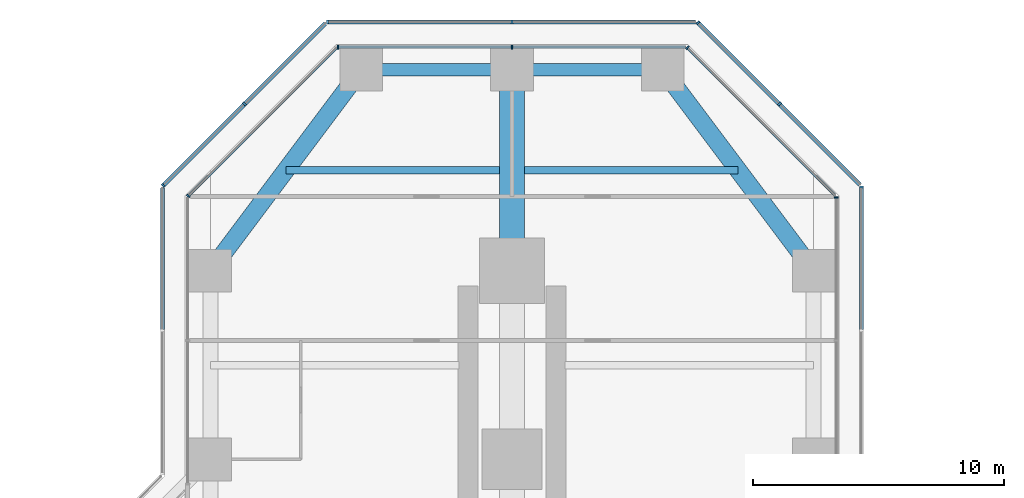
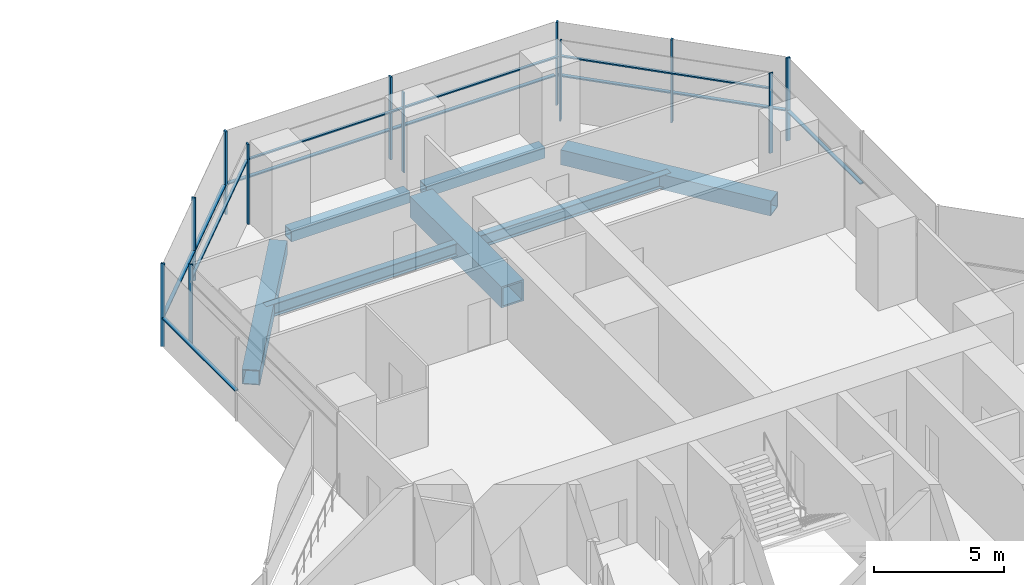
# One storey, part 13 of 22: 24 members, 7 beams, 9 elements without a shape of their own.
"""IFC4 building model written with IfcOpenShell, lengths in metres."""

from ifc_helpers import new_model, si_unit, direction, frame, origin, origin_2d, place, context, subcontext, project, spatial, rectangle, hollow_rectangle, i_section, extrude, material, material_profile, profile_set, type_object, element, aggregate, save


model = new_model("IFC4")

# Units and contexts
model_context = context("Model", 3, precision=1e-05, world=origin(), true_north=direction((0.0, 1.0)))
body_context = subcontext(model_context, "Body", "Model", "MODEL_VIEW")
ifc_project = project(units=[si_unit("LENGTHUNIT", "METRE"), si_unit("AREAUNIT", "SQUARE_METRE"), si_unit("VOLUMEUNIT", "CUBIC_METRE"), si_unit("PLANEANGLEUNIT", "RADIAN"), si_unit("MASSUNIT", "GRAM", prefix="KILO")], contexts=[model_context])

# Site, building, storey
site_placement = place(None, origin())
site = spatial("IfcSite", under=ifc_project, at=site_placement, CompositionType="ELEMENT")
building_placement = place(site_placement, origin())
building = spatial("IfcBuilding", under=site, at=building_placement, Name="Mizan Broadcast Tower", CompositionType="ELEMENT")
storey_placement = place(building_placement, frame((0.0, 0.0, 43.5)))
storey = spatial("IfcBuildingStorey", under=building, at=storey_placement, Name="L07", CompositionType="ELEMENT", Elevation=43.5)

# Beams
ifc_material_1 = material(Name="Steel S355", Category="steel")
ifc_material_profile_1 = material_profile(ifc_material_1, hollow_rectangle(XDim=0.5, YDim=0.5, WallThickness=0.030029296875, at=origin_2d()), Name="BOX 500x500x30")
ifc_profile_set_1 = profile_set([ifc_material_profile_1], Name="Steel S355")
beam_type_1 = type_object("IfcBeamType", Name="EDGE BEAM BOX 500x500x30", PredefinedType="SPANDREL", material=ifc_profile_set_1)
for number, where, z_axis, x_axis, name in (
    (1, (5.639892578125, 35.0, -0.3798828125), (-1.0, 0.0, 0.0), (0.0, -1.0, 0.0), "Edge beam BOX 500x500x30 L07 north arm"),
    (2, (-5.639892578125, 35.0, -0.3798828125), (1.0, 0.0, 0.0), (0.0, 1.0, 0.0), "Edge beam BOX 500x500x30 L07 north arm"),
):
    element("IfcBeam", number, at=place(storey_placement, frame(where, z_axis=z_axis, x_axis=x_axis)), inside=storey, type_object=beam_type_1, Name=name, PredefinedType="SPANDREL", context=body_context, shape_type="SweptSolid", body=[
        extrude(hollow_rectangle(XDim=0.5, YDim=0.5, WallThickness=0.030029296875, at=origin_2d()), origin(), (0.0, 0.0, 1.0), 5.27978515625),
    ])
ifc_material_2 = material(Name="Steel S355", Category="steel")
ifc_material_profile_2 = material_profile(ifc_material_2, hollow_rectangle(XDim=0.699951171875, YDim=0.699951171875, WallThickness=0.0400390625, at=origin_2d()), Name="BOX 700x700x40")
ifc_profile_set_2 = profile_set([ifc_material_profile_2], Name="Steel S355")
beam_type_2 = type_object("IfcBeamType", Name="EDGE BEAM BOX 700x700x40", PredefinedType="SPANDREL", material=ifc_profile_set_2)
for number, where, z_axis, x_axis, name in (
    (3, (11.639892578125, 27.47998046875, -0.47998046875), (-0.599982243973, 0.800013316712, 0.0), (-0.800013316712, -0.599982243973, 0.0), "Edge beam BOX 700x700x40 L07 north arm"),
    (4, (-11.639892578125, 27.47998046875, -0.47998046875), (0.599982243973, 0.800013316712, 0.0), (-0.800013316712, 0.599982243973, 0.0), "Edge beam BOX 700x700x40 L07 north arm"),
):
    element("IfcBeam", number, at=place(storey_placement, frame(where, z_axis=z_axis, x_axis=x_axis)), inside=storey, type_object=beam_type_2, Name=name, PredefinedType="SPANDREL", context=body_context, shape_type="SweptSolid", body=[
        extrude(hollow_rectangle(XDim=0.699951171875, YDim=0.699951171875, WallThickness=0.0400390625, at=origin_2d()), origin(), (0.0, 0.0, 1.0), 8.7998046875),
    ])
ifc_material_3 = material(Name="Steel S460", Category="steel")
ifc_material_profile_3 = material_profile(ifc_material_3, hollow_rectangle(XDim=1.0, YDim=1.0, WallThickness=0.080078125, at=origin_2d()), Name="BOX 1000x1000x80")
ifc_profile_set_3 = profile_set([ifc_material_profile_3], Name="Steel S460")
beam_type_3 = type_object("IfcBeamType", Name="GIRDER BOX 1000x1000x80", PredefinedType="BEAM", material=ifc_profile_set_3)
beam_placement = place(storey_placement, frame((0.0, 27.47998046875, -0.6298828125), z_axis=(0.0, 1.0, 0.0), x_axis=(-1.0, 0.0, 0.0)))
element("IfcBeam", 5, at=beam_placement, inside=storey, type_object=beam_type_3, Name="Girder BOX 1000x1000x80 L07 north arm", PredefinedType="BEAM", context=body_context, shape_type="SweptSolid", body=[
    extrude(hollow_rectangle(XDim=1.0, YDim=1.0, WallThickness=0.080078125, at=origin_2d()), origin(), (0.0, 0.0, 1.0), 7.0400390625),
])

# Curtain wall, member
ifc_material_4 = material(Name="Aluminium framed glazing", Category="aluminium")
curtain_wall_type_1 = type_object("IfcCurtainWallType", Name="INNER SKIN LOW ZONE", PredefinedType="USERDEFINED", material=ifc_material_4)
curtain_wall_1_placement = place(storey_placement, origin())
curtain_wall_1 = element("IfcCurtainWall", 6, at=curtain_wall_1_placement, inside=storey, type_object=curtain_wall_type_1, Name="Inner skin low zone L07 N side", ObjectType="INNER SKIN LOW ZONE", PredefinedType="USERDEFINED")
ifc_material_5 = material(Name="Aluminium, pale anodised", Category="aluminium")
ifc_material_profile_4 = material_profile(ifc_material_5, rectangle(XDim=0.159912109375, YDim=0.06005859375, at=origin_2d()), Name="MULLION 160x60")
ifc_profile_set_4 = profile_set([ifc_material_profile_4], Name="Aluminium, pale anodised")
member_type_1 = type_object("IfcMemberType", Name="INNER SKIN MULLION 60x160", PredefinedType="MULLION", material=ifc_profile_set_4)
member_1_placement = place(storey_placement, frame((12.89990234375, 29.928466796875, 0.0), z_axis=(0.0, 0.0, 1.0), x_axis=(-1.0, 0.0, 0.0)))
member_1 = element("IfcMember", 7, at=member_1_placement, type_object=member_type_1, Name="Inner skin low zone L07 N side mullion 3", PredefinedType="MULLION", context=body_context, shape_type="SweptSolid", body=[
    extrude(rectangle(XDim=0.159912109375, YDim=0.06005859375, at=origin_2d()), origin(), (0.0, 0.0, 1.0), 3.77001953125),
])
aggregate(curtain_wall_1, [member_1])

curtain_wall_2_placement = place(storey_placement, origin())
curtain_wall_2 = element("IfcCurtainWall", 8, at=curtain_wall_2_placement, inside=storey, type_object=curtain_wall_type_1, Name="Inner skin low zone L07 N chamfer", ObjectType="INNER SKIN LOW ZONE", PredefinedType="USERDEFINED")
member_2_placement = place(storey_placement, frame((6.979736328125, 35.87890625, 0.0), z_axis=(0.0, 0.0, 1.0), x_axis=(-0.707106781187, -0.707106781187, 0.0)))
member_2 = element("IfcMember", 9, at=member_2_placement, type_object=member_type_1, Name="Inner skin low zone L07 N chamfer mullion 2", PredefinedType="MULLION", context=body_context, shape_type="SweptSolid", body=[
    extrude(rectangle(XDim=0.159912109375, YDim=0.06005859375, at=origin_2d()), origin(), (0.0, 0.0, 1.0), 3.77001953125),
])

# Curtain wall, members
curtain_wall_3_placement = place(storey_placement, origin())
curtain_wall_3 = element("IfcCurtainWall", 10, at=curtain_wall_3_placement, inside=storey, type_object=curtain_wall_type_1, Name="Inner skin low zone L07 N end", ObjectType="INNER SKIN LOW ZONE", PredefinedType="USERDEFINED")
member_3_placement = place(storey_placement, frame((0.0, 35.89990234375, 0.0), z_axis=(0.0, 0.0, 1.0), x_axis=(0.0, -1.0, 0.0)))
member_3 = element("IfcMember", 11, at=member_3_placement, type_object=member_type_1, Name="Inner skin low zone L07 N end mullion 2", PredefinedType="MULLION", context=body_context, shape_type="SweptSolid", body=[
    extrude(rectangle(XDim=0.159912109375, YDim=0.06005859375, at=origin_2d()), origin(), (0.0, 0.0, 1.0), 3.77001953125),
])
member_4_placement = place(storey_placement, frame((-6.928466796875, 35.89990234375, 0.0), z_axis=(0.0, 0.0, 1.0), x_axis=(0.0, -1.0, 0.0)))
member_4 = element("IfcMember", 12, at=member_4_placement, type_object=member_type_1, Name="Inner skin low zone L07 N end mullion 3", PredefinedType="MULLION", context=body_context, shape_type="SweptSolid", body=[
    extrude(rectangle(XDim=0.159912109375, YDim=0.06005859375, at=origin_2d()), origin(), (0.0, 0.0, 1.0), 3.77001953125),
])

# Curtain wall, member
curtain_wall_4_placement = place(storey_placement, origin())
curtain_wall_4 = element("IfcCurtainWall", 13, at=curtain_wall_4_placement, inside=storey, type_object=curtain_wall_type_1, Name="Inner skin low zone L07 N chamfer", ObjectType="INNER SKIN LOW ZONE", PredefinedType="USERDEFINED")
member_5_placement = place(storey_placement, frame((-12.87890625, 29.979736328125, 0.0), z_axis=(0.0, 0.0, 1.0), x_axis=(0.707106781187, -0.707106781187, 0.0)))
member_5 = element("IfcMember", 14, at=member_5_placement, type_object=member_type_1, Name="Inner skin low zone L07 N chamfer mullion 2", PredefinedType="MULLION", context=body_context, shape_type="SweptSolid", body=[
    extrude(rectangle(XDim=0.159912109375, YDim=0.06005859375, at=origin_2d()), origin(), (0.0, 0.0, 1.0), 3.77001953125),
])

# Member
ifc_material_6 = material(Name="Aluminium, pale anodised", Category="aluminium")
ifc_material_profile_5 = material_profile(ifc_material_6, rectangle(XDim=0.1201171875, YDim=0.06005859375, at=origin_2d()), Name="TRANSOM 120x60")
ifc_profile_set_5 = profile_set([ifc_material_profile_5], Name="Aluminium, pale anodised")
member_type_2 = type_object("IfcMemberType", Name="INNER SKIN TRANSOM 60x120", PredefinedType="USERDEFINED", material=ifc_profile_set_5)
member_6_placement = place(storey_placement, frame((12.857666015625, 30.0009765625, 3.030029296875), z_axis=(-0.707106781187, 0.707106781187, 0.0), x_axis=(-0.707106781187, -0.707106781187, 0.0)))
member_6 = element("IfcMember", 15, at=member_6_placement, type_object=member_type_2, Name="Inner skin low zone L07 N chamfer transom 1.1", ObjectType="TRANSOM", PredefinedType="USERDEFINED", context=body_context, shape_type="SweptSolid", body=[
    extrude(rectangle(XDim=0.1201171875, YDim=0.06005859375, at=origin_2d()), origin(), (0.0, 0.0, 1.0), 8.28271484375),
])

aggregate(curtain_wall_2, [member_2, member_6])

member_7_placement = place(storey_placement, frame((6.898681640625, 35.89990234375, 3.030029296875), z_axis=(-1.0, 0.0, 0.0), x_axis=(0.0, -1.0, 0.0)))
member_7 = element("IfcMember", 16, at=member_7_placement, type_object=member_type_2, Name="Inner skin low zone L07 N end transom 1.1", ObjectType="TRANSOM", PredefinedType="USERDEFINED", context=body_context, shape_type="SweptSolid", body=[
    extrude(rectangle(XDim=0.1201171875, YDim=0.06005859375, at=origin_2d()), origin(), (0.0, 0.0, 1.0), 6.86865234375),
])

member_8_placement = place(storey_placement, frame((-0.030029296875, 35.89990234375, 3.030029296875), z_axis=(-1.0, 0.0, 0.0), x_axis=(0.0, -1.0, 0.0)))
member_8 = element("IfcMember", 17, at=member_8_placement, type_object=member_type_2, Name="Inner skin low zone L07 N end transom 2.1", ObjectType="TRANSOM", PredefinedType="USERDEFINED", context=body_context, shape_type="SweptSolid", body=[
    extrude(rectangle(XDim=0.1201171875, YDim=0.06005859375, at=origin_2d()), origin(), (0.0, 0.0, 1.0), 6.86865234375),
])

aggregate(curtain_wall_3, [member_3, member_4, member_7, member_8])

member_9_placement = place(storey_placement, frame((-7.0009765625, 35.857666015625, 3.030029296875), z_axis=(-0.707106781187, -0.707106781187, 0.0), x_axis=(0.707106781187, -0.707106781187, 0.0)))
member_9 = element("IfcMember", 18, at=member_9_placement, type_object=member_type_2, Name="Inner skin low zone L07 N chamfer transom 1.1", ObjectType="TRANSOM", PredefinedType="USERDEFINED", context=body_context, shape_type="SweptSolid", body=[
    extrude(rectangle(XDim=0.1201171875, YDim=0.06005859375, at=origin_2d()), origin(), (0.0, 0.0, 1.0), 8.28271484375),
])

aggregate(curtain_wall_4, [member_5, member_9])

# Curtain wall, member
ifc_material_7 = material(Name="Aluminium framed glazing", Category="aluminium")
curtain_wall_type_2 = type_object("IfcCurtainWallType", Name="OUTER SKIN", PredefinedType="USERDEFINED", material=ifc_material_7)
curtain_wall_5_placement = place(storey_placement, origin())
curtain_wall_5 = element("IfcCurtainWall", 19, at=curtain_wall_5_placement, inside=storey, type_object=curtain_wall_type_2, Name="Outer skin L07 N side", ObjectType="OUTER SKIN", PredefinedType="USERDEFINED")
ifc_material_8 = material(Name="Aluminium, pale anodised", Category="aluminium")
ifc_material_profile_6 = material_profile(ifc_material_8, rectangle(XDim=0.159912109375, YDim=0.080078125, at=origin_2d()), Name="MULLION 160x80")
ifc_profile_set_6 = profile_set([ifc_material_profile_6], Name="Aluminium, pale anodised")
member_type_3 = type_object("IfcMemberType", Name="OUTER SKIN MULLION 80x160", PredefinedType="MULLION", material=ifc_profile_set_6)
member_10_placement = place(storey_placement, frame((13.89990234375, 30.332763671875, 0.0), z_axis=(0.0, 0.0, 1.0), x_axis=(-1.0, 0.0, 0.0)))
member_10 = element("IfcMember", 20, at=member_10_placement, type_object=member_type_3, Name="Outer skin L07 N side mullion 3", PredefinedType="MULLION", context=body_context, shape_type="SweptSolid", body=[
    extrude(rectangle(XDim=0.159912109375, YDim=0.080078125, at=origin_2d()), origin(), (0.0, 0.0, 1.0), 3.89990234375),
])

# Curtain wall, members
curtain_wall_6_placement = place(storey_placement, origin())
curtain_wall_6 = element("IfcCurtainWall", 21, at=curtain_wall_6_placement, inside=storey, type_object=curtain_wall_type_2, Name="Outer skin L07 N chamfer", ObjectType="OUTER SKIN", PredefinedType="USERDEFINED")
member_11_placement = place(storey_placement, frame((10.636474609375, 33.636474609375, 0.0), z_axis=(0.0, 0.0, 1.0), x_axis=(-0.707106781187, -0.707106781187, 0.0)))
member_11 = element("IfcMember", 22, at=member_11_placement, type_object=member_type_3, Name="Outer skin L07 N chamfer mullion 2", PredefinedType="MULLION", context=body_context, shape_type="SweptSolid", body=[
    extrude(rectangle(XDim=0.159912109375, YDim=0.080078125, at=origin_2d()), origin(), (0.0, 0.0, 1.0), 3.89990234375),
])
member_12_placement = place(storey_placement, frame((7.401123046875, 36.871826171875, 0.0), z_axis=(0.0, 0.0, 1.0), x_axis=(-0.707106781187, -0.707106781187, 0.0)))
member_12 = element("IfcMember", 23, at=member_12_placement, type_object=member_type_3, Name="Outer skin L07 N chamfer mullion 3", PredefinedType="MULLION", context=body_context, shape_type="SweptSolid", body=[
    extrude(rectangle(XDim=0.159912109375, YDim=0.080078125, at=origin_2d()), origin(), (0.0, 0.0, 1.0), 3.89990234375),
])

curtain_wall_7_placement = place(storey_placement, origin())
curtain_wall_7 = element("IfcCurtainWall", 24, at=curtain_wall_7_placement, inside=storey, type_object=curtain_wall_type_2, Name="Outer skin L07 N end", ObjectType="OUTER SKIN", PredefinedType="USERDEFINED")
member_13_placement = place(storey_placement, frame((0.0, 36.89990234375, 0.0), z_axis=(0.0, 0.0, 1.0), x_axis=(0.0, -1.0, 0.0)))
member_13 = element("IfcMember", 25, at=member_13_placement, type_object=member_type_3, Name="Outer skin L07 N end mullion 2", PredefinedType="MULLION", context=body_context, shape_type="SweptSolid", body=[
    extrude(rectangle(XDim=0.159912109375, YDim=0.080078125, at=origin_2d()), origin(), (0.0, 0.0, 1.0), 3.89990234375),
])
member_14_placement = place(storey_placement, frame((-7.332763671875, 36.89990234375, 0.0), z_axis=(0.0, 0.0, 1.0), x_axis=(0.0, -1.0, 0.0)))
member_14 = element("IfcMember", 26, at=member_14_placement, type_object=member_type_3, Name="Outer skin L07 N end mullion 3", PredefinedType="MULLION", context=body_context, shape_type="SweptSolid", body=[
    extrude(rectangle(XDim=0.159912109375, YDim=0.080078125, at=origin_2d()), origin(), (0.0, 0.0, 1.0), 3.89990234375),
])

curtain_wall_8_placement = place(storey_placement, origin())
curtain_wall_8 = element("IfcCurtainWall", 27, at=curtain_wall_8_placement, inside=storey, type_object=curtain_wall_type_2, Name="Outer skin L07 N chamfer", ObjectType="OUTER SKIN", PredefinedType="USERDEFINED")
member_15_placement = place(storey_placement, frame((-10.636474609375, 33.636474609375, 0.0), z_axis=(0.0, 0.0, 1.0), x_axis=(0.707106781187, -0.707106781187, 0.0)))
member_15 = element("IfcMember", 28, at=member_15_placement, type_object=member_type_3, Name="Outer skin L07 N chamfer mullion 2", PredefinedType="MULLION", context=body_context, shape_type="SweptSolid", body=[
    extrude(rectangle(XDim=0.159912109375, YDim=0.080078125, at=origin_2d()), origin(), (0.0, 0.0, 1.0), 3.89990234375),
])
member_16_placement = place(storey_placement, frame((-13.871826171875, 30.401123046875, 0.0), z_axis=(0.0, 0.0, 1.0), x_axis=(0.707106781187, -0.707106781187, 0.0)))
member_16 = element("IfcMember", 29, at=member_16_placement, type_object=member_type_3, Name="Outer skin L07 N chamfer mullion 3", PredefinedType="MULLION", context=body_context, shape_type="SweptSolid", body=[
    extrude(rectangle(XDim=0.159912109375, YDim=0.080078125, at=origin_2d()), origin(), (0.0, 0.0, 1.0), 3.89990234375),
])

# Member
ifc_material_9 = material(Name="Aluminium, pale anodised", Category="aluminium")
ifc_material_profile_7 = material_profile(ifc_material_9, rectangle(XDim=0.159912109375, YDim=0.06005859375, at=origin_2d()), Name="TRANSOM 160x60")
ifc_profile_set_7 = profile_set([ifc_material_profile_7], Name="Aluminium, pale anodised")
member_type_4 = type_object("IfcMemberType", Name="OUTER SKIN TRANSOM 60x160", PredefinedType="USERDEFINED", material=ifc_profile_set_7)
member_17_placement = place(storey_placement, frame((13.89990234375, 24.662841796875, 1.39990234375), z_axis=(0.0, 1.0, 0.0), x_axis=(-1.0, 0.0, 0.0)))
member_17 = element("IfcMember", 30, at=member_17_placement, type_object=member_type_4, Name="Outer skin L07 N side transom 2.1", ObjectType="TRANSOM", PredefinedType="USERDEFINED", context=body_context, shape_type="SweptSolid", body=[
    extrude(rectangle(XDim=0.159912109375, YDim=0.06005859375, at=origin_2d()), origin(), (0.0, 0.0, 1.0), 5.6298828125),
])

aggregate(curtain_wall_5, [member_10, member_17])

member_18_placement = place(storey_placement, frame((13.843505859375, 30.429443359375, 1.39990234375), z_axis=(-0.707106781187, 0.707106781187, 0.0), x_axis=(-0.707106781187, -0.707106781187, 0.0)))
member_18 = element("IfcMember", 31, at=member_18_placement, type_object=member_type_4, Name="Outer skin L07 N chamfer transom 1.1", ObjectType="TRANSOM", PredefinedType="USERDEFINED", context=body_context, shape_type="SweptSolid", body=[
    extrude(rectangle(XDim=0.159912109375, YDim=0.06005859375, at=origin_2d()), origin(), (0.0, 0.0, 1.0), 4.495361328125),
])

member_19_placement = place(storey_placement, frame((10.608154296875, 33.664794921875, 1.39990234375), z_axis=(-0.707106781187, 0.707106781187, 0.0), x_axis=(-0.707106781187, -0.707106781187, 0.0)))
member_19 = element("IfcMember", 32, at=member_19_placement, type_object=member_type_4, Name="Outer skin L07 N chamfer transom 2.1", ObjectType="TRANSOM", PredefinedType="USERDEFINED", context=body_context, shape_type="SweptSolid", body=[
    extrude(rectangle(XDim=0.159912109375, YDim=0.06005859375, at=origin_2d()), origin(), (0.0, 0.0, 1.0), 4.495361328125),
])

aggregate(curtain_wall_6, [member_11, member_12, member_18, member_19])

member_20_placement = place(storey_placement, frame((7.292724609375, 36.89990234375, 1.39990234375), z_axis=(-1.0, 0.0, 0.0), x_axis=(0.0, -1.0, 0.0)))
member_20 = element("IfcMember", 33, at=member_20_placement, type_object=member_type_4, Name="Outer skin L07 N end transom 1.1", ObjectType="TRANSOM", PredefinedType="USERDEFINED", context=body_context, shape_type="SweptSolid", body=[
    extrude(rectangle(XDim=0.159912109375, YDim=0.06005859375, at=origin_2d()), origin(), (0.0, 0.0, 1.0), 7.252685546875),
])

member_21_placement = place(storey_placement, frame((-0.0400390625, 36.89990234375, 1.39990234375), z_axis=(-1.0, 0.0, 0.0), x_axis=(0.0, -1.0, 0.0)))
member_21 = element("IfcMember", 34, at=member_21_placement, type_object=member_type_4, Name="Outer skin L07 N end transom 2.1", ObjectType="TRANSOM", PredefinedType="USERDEFINED", context=body_context, shape_type="SweptSolid", body=[
    extrude(rectangle(XDim=0.159912109375, YDim=0.06005859375, at=origin_2d()), origin(), (0.0, 0.0, 1.0), 7.252685546875),
])

aggregate(curtain_wall_7, [member_13, member_14, member_20, member_21])

member_22_placement = place(storey_placement, frame((-7.429443359375, 36.843505859375, 1.39990234375), z_axis=(-0.707106781187, -0.707106781187, 0.0), x_axis=(0.707106781187, -0.707106781187, 0.0)))
member_22 = element("IfcMember", 35, at=member_22_placement, type_object=member_type_4, Name="Outer skin L07 N chamfer transom 1.1", ObjectType="TRANSOM", PredefinedType="USERDEFINED", context=body_context, shape_type="SweptSolid", body=[
    extrude(rectangle(XDim=0.159912109375, YDim=0.06005859375, at=origin_2d()), origin(), (0.0, 0.0, 1.0), 4.495361328125),
])

member_23_placement = place(storey_placement, frame((-10.664794921875, 33.608154296875, 1.39990234375), z_axis=(-0.707106781187, -0.707106781187, 0.0), x_axis=(0.707106781187, -0.707106781187, 0.0)))
member_23 = element("IfcMember", 36, at=member_23_placement, type_object=member_type_4, Name="Outer skin L07 N chamfer transom 2.1", ObjectType="TRANSOM", PredefinedType="USERDEFINED", context=body_context, shape_type="SweptSolid", body=[
    extrude(rectangle(XDim=0.159912109375, YDim=0.06005859375, at=origin_2d()), origin(), (0.0, 0.0, 1.0), 4.495361328125),
])

aggregate(curtain_wall_8, [member_15, member_16, member_22, member_23])

# Curtain wall, member
curtain_wall_9_placement = place(storey_placement, origin())
curtain_wall_9 = element("IfcCurtainWall", 37, at=curtain_wall_9_placement, inside=storey, type_object=curtain_wall_type_2, Name="Outer skin L07 N side", ObjectType="OUTER SKIN", PredefinedType="USERDEFINED")
member_24_placement = place(storey_placement, frame((-13.89990234375, 30.292724609375, 1.39990234375), z_axis=(0.0, -1.0, 0.0), x_axis=(1.0, 0.0, 0.0)))
member_24 = element("IfcMember", 38, at=member_24_placement, type_object=member_type_4, Name="Outer skin L07 N side transom 1.1", ObjectType="TRANSOM", PredefinedType="USERDEFINED", context=body_context, shape_type="SweptSolid", body=[
    extrude(rectangle(XDim=0.159912109375, YDim=0.06005859375, at=origin_2d()), origin(), (0.0, 0.0, 1.0), 5.6298828125),
])
aggregate(curtain_wall_9, [member_24])

# Beams
ifc_material_10 = material(Name="Steel S355", Category="steel")
ifc_material_profile_8 = material_profile(ifc_material_10, i_section(OverallWidth=0.300048828125, OverallDepth=0.590087890625, WebThickness=0.012939453125, FlangeThickness=0.02490234375, FilletRadius=0.027099609375, at=origin_2d()), Name="HEA 600")
ifc_profile_set_8 = profile_set([ifc_material_profile_8], Name="Steel S355")
beam_type_4 = type_object("IfcBeamType", Name="SECONDARY BEAM HEA 600", PredefinedType="JOIST", material=ifc_profile_set_8)
for number, where, z_axis, x_axis, name in (
    (39, (9.0, 31.0, -0.425048828125), (-1.0, 0.0, 0.0), (0.0, -1.0, 0.0), "Secondary beam HEA 600 L07 north arm"),
    (40, (-9.0, 31.0, -0.425048828125), (1.0, 0.0, 0.0), (0.0, 1.0, 0.0), "Secondary beam HEA 600 L07 north arm"),
):
    element("IfcBeam", number, at=place(storey_placement, frame(where, z_axis=z_axis, x_axis=x_axis)), inside=storey, type_object=beam_type_4, Name=name, PredefinedType="JOIST", context=body_context, shape_type="SweptSolid", body=[
        extrude(i_section(OverallWidth=0.300048828125, OverallDepth=0.590087890625, WebThickness=0.012939453125, FlangeThickness=0.02490234375, FilletRadius=0.027099609375, at=origin_2d()), origin(), (0.0, 0.0, 1.0), 8.5),
    ])

save(model, "model.ifc")
